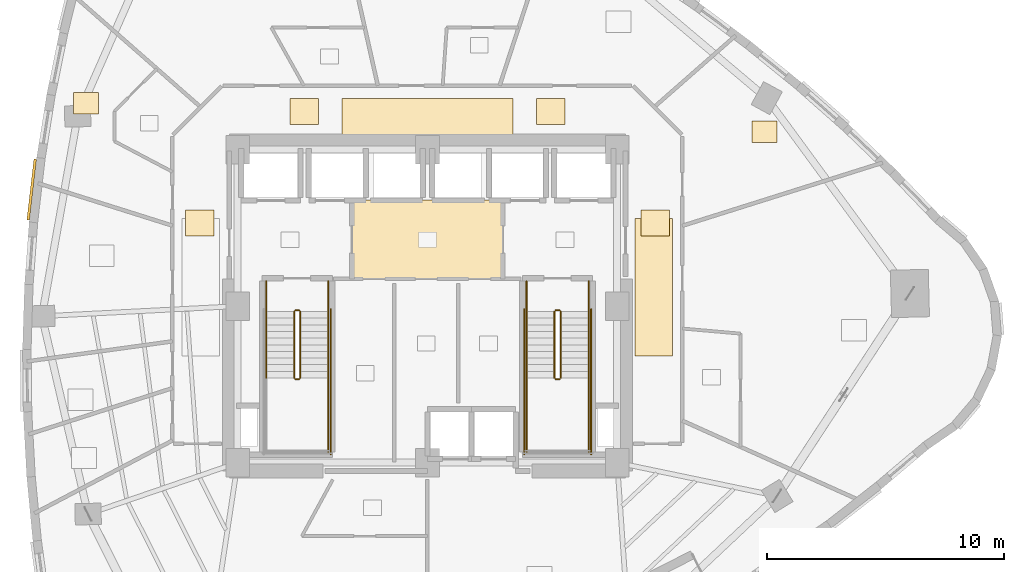
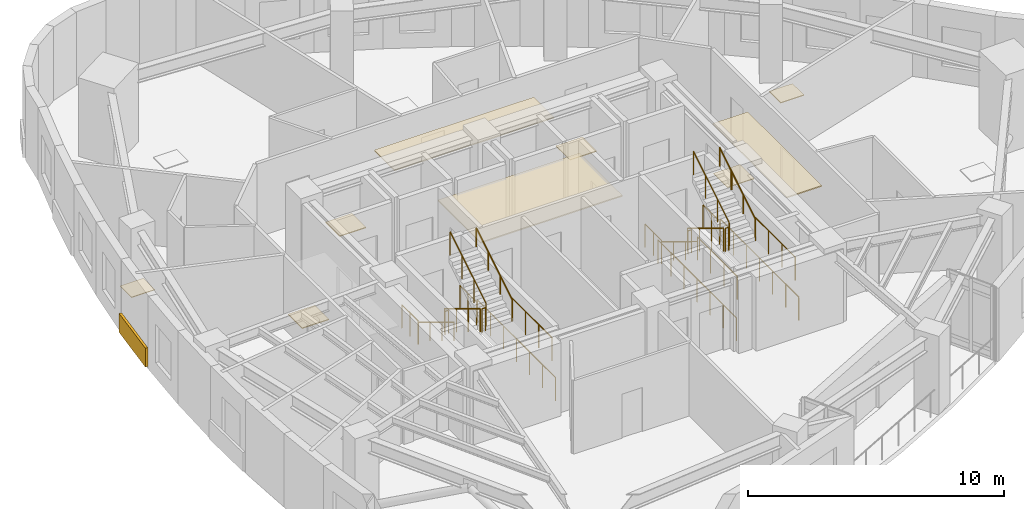
# One storey, part 11 of 12: 22 railings, 10 coverings.
"""IFC4 building model written with IfcOpenShell, lengths in metres."""

import ifcopenshell
import ifcopenshell.guid

model = None  # the IFC model being written
_history = None  # IfcOwnerHistory: only IFC2X3 demands one
_inside = {}  # id of a spatial element -> (the spatial element, [elements in it])
_under = {}  # id of a project, library or spatial element -> (it, [spatial elements below it])
_declared = {}  # id of a project -> (the project, [libraries it declares])
_typed = {}  # id of a type object -> (the type object, [elements of that type])
_made_of = {}  # id of a material, layer set ... -> (it, [elements and type objects made of it])


def new_model(schema):
    """Start an empty IFC model of exactly this schema.

    Asked for "IFC4X3", IfcOpenShell would pick the latest addendum, in which some entities
    have other attributes; the version numbers below select the first issue.
    IFC2X3 requires an IfcOwnerHistory on every rooted entity: one is made here for all.
    """
    global model, _history
    if schema == "IFC4X3":
        model = ifcopenshell.file(schema_version=(4, 3, 0, 0))
    else:
        model = ifcopenshell.file(schema=schema)
    _inside.clear()
    _under.clear()
    _declared.clear()
    _typed.clear()
    _made_of.clear()
    _history = None
    if model.schema == "IFC2X3":
        org = make("IfcOrganization", Name="unknown")
        user = make(
            "IfcPersonAndOrganization",
            ThePerson=make("IfcPerson", FamilyName="unknown"),
            TheOrganization=org,
        )
        app = make(
            "IfcApplication",
            ApplicationDeveloper=org,
            Version="unknown",
            ApplicationFullName="unknown",
            ApplicationIdentifier="unknown",
        )
        _history = make(
            "IfcOwnerHistory",
            OwningUser=user,
            OwningApplication=app,
            ChangeAction="ADDED",
            CreationDate=0,
        )
    return model


def make(cls, **values):
    """One entity of the class cls with the attributes given. An attribute that is None is left unset."""
    return model.create_entity(
        cls, **{name: value for name, value in values.items() if value is not None}
    )


def rooted(cls, **values):
    """An entity with a GlobalId (a new one), such as an element, a storey or a relation."""
    return make(cls, GlobalId=ifcopenshell.guid.new(), OwnerHistory=_history, **values)


def si_unit(unit_type, name, prefix=None):
    """IfcSIUnit, for example si_unit("LENGTHUNIT", "METRE", prefix="MILLI")."""
    return make("IfcSIUnit", UnitType=unit_type, Prefix=prefix, Name=name)


def assignment(units):
    """IfcUnitAssignment: the units of a project."""
    return None if units is None else make("IfcUnitAssignment", Units=units)


def point(xyz):
    """IfcCartesianPoint."""
    return None if xyz is None else make("IfcCartesianPoint", Coordinates=xyz)


def direction(xyz):
    """IfcDirection."""
    return None if xyz is None else make("IfcDirection", DirectionRatios=xyz)


def frame(location, z_axis=None, x_axis=None):
    """IfcAxis2Placement3D, a coordinate frame: its origin and axes. An axis left out is left unset."""
    return make(
        "IfcAxis2Placement3D",
        Location=point(location),
        Axis=direction(z_axis),
        RefDirection=direction(x_axis),
    )


def frame_2d(location, x_axis=None):
    """IfcAxis2Placement2D, a coordinate frame in the plane: its origin and x axis."""
    return make(
        "IfcAxis2Placement2D", Location=point(location), RefDirection=direction(x_axis)
    )


def origin():
    """The frame at (0, 0, 0) with its axes left unset."""
    return frame((0.0, 0.0, 0.0))


def origin_2d():
    """The frame at (0, 0) in the plane with its x axis left unset."""
    return frame_2d((0.0, 0.0))


def place(relative_to, where):
    """IfcLocalPlacement: puts the frame where relative to a parent placement (None: the world)."""
    return make(
        "IfcLocalPlacement", PlacementRelTo=relative_to, RelativePlacement=where
    )


def context(
    kind, dimensions, precision=None, world=None, true_north=None, identifier=None
):
    """IfcGeometricRepresentationContext, for example the 3D "Model" context."""
    return make(
        "IfcGeometricRepresentationContext",
        ContextIdentifier=identifier,
        ContextType=kind,
        CoordinateSpaceDimension=dimensions,
        Precision=precision,
        WorldCoordinateSystem=world,
        TrueNorth=true_north,
    )


def subcontext(parent, identifier, kind, view, scale=None):
    """IfcGeometricRepresentationSubContext, for example "Body" below "Model"."""
    return make(
        "IfcGeometricRepresentationSubContext",
        ContextIdentifier=identifier,
        ContextType=kind,
        ParentContext=parent,
        TargetScale=scale,
        TargetView=view,
    )


def project(units=None, contexts=None):
    """IfcProject with its units and contexts."""
    return rooted(
        "IfcProject",
        Name="project",
        RepresentationContexts=contexts,
        UnitsInContext=assignment(units),
    )


def spatial(cls, under=None, at=None, **own):
    """A site, building, storey or space (cls), placed at a placement, below another one or the project."""
    s = rooted(cls, ObjectPlacement=at, **own)
    if under is not None:
        _under.setdefault(under.id(), (under, []))[1].append(s)
    return s


def profile(cls, at=None, kind="AREA", **sizes):
    """A parametric profile (cls). Its sizes go by their IFC names, for example OverallWidth=200.0."""
    return make(cls, ProfileType=kind, Position=at, **sizes)


def rectangle(**sizes):
    """IfcRectangleProfileDef."""
    return profile("IfcRectangleProfileDef", **sizes)


def circle(**sizes):
    """IfcCircleProfileDef."""
    return profile("IfcCircleProfileDef", **sizes)


def extrude(swept, where, along, depth):
    """IfcExtrudedAreaSolid: the profile swept, set in the frame where, extruded along a direction by depth."""
    return make(
        "IfcExtrudedAreaSolid",
        SweptArea=swept,
        Position=where,
        ExtrudedDirection=direction(along),
        Depth=depth,
    )


def shape(context_of_items, identifier, shape_type, items):
    """IfcShapeRepresentation: the items that make up one representation, for example the "Body"."""
    return make(
        "IfcShapeRepresentation",
        ContextOfItems=context_of_items,
        RepresentationIdentifier=identifier,
        RepresentationType=shape_type,
        Items=items,
    )


def material(Name=None, Category=None):
    """IfcMaterial."""
    return make("IfcMaterial", Name=Name, Category=Category)


def layer(
    of_material, thickness, ventilated=None, Name=None, Category=None, Priority=None
):
    """IfcMaterialLayer: one layer of a wall or slab, of a material (None: an air gap)."""
    return make(
        "IfcMaterialLayer",
        Material=of_material,
        LayerThickness=thickness,
        IsVentilated=ventilated,
        Name=Name,
        Category=Category,
        Priority=Priority,
    )


def layer_set(layers, Name=None):
    """IfcMaterialLayerSet."""
    return make("IfcMaterialLayerSet", MaterialLayers=layers, LayerSetName=Name)


def made_of(thing, what):
    """Note that an element or type object is made of a material, layer set ...; save() writes the relation."""
    if what is not None:
        _made_of.setdefault(what.id(), (what, []))[1].append(thing)
    return thing


def type_object(cls, material=None, **own):
    """A type object (cls), such as IfcWallType, which elements share."""
    return made_of(rooted(cls, **own), material)


def element(
    cls,
    number,
    at=None,
    inside=None,
    cuts=None,
    type_object=None,
    material=None,
    context=None,
    identifier="Body",
    shape_type=None,
    held_by="IfcProductDefinitionShape",
    body=None,
    shapes=None,
    **own,
):
    """One element of the class cls, such as IfcWall. Its Tag is "e" and its number.

    at: its placement. inside: the storey or other place that contains it. cuts: it is an
    opening in that element (IfcRelVoidsElement). A single representation is given by context,
    identifier, shape_type and body (its items); several are given by shapes. held_by: the class
    of the entity that holds the representations. save() writes the other relations.
    """
    e = rooted(cls, Tag="e%d" % number, ObjectPlacement=at, **own)
    if body is not None:
        shapes = [shape(context, identifier, shape_type, body)]
    if shapes is not None:
        e.Representation = make(held_by, Representations=shapes)
    if inside is not None:
        _inside.setdefault(inside.id(), (inside, []))[1].append(e)
    if cuts is not None:
        rooted(
            "IfcRelVoidsElement", RelatingBuildingElement=cuts, RelatedOpeningElement=e
        )
    if type_object is not None:
        _typed.setdefault(type_object.id(), (type_object, []))[1].append(e)
    return made_of(e, material)


def aggregate(whole, parts):
    """IfcRelAggregates: a whole, such as a stair, and the parts it consists of."""
    return rooted("IfcRelAggregates", RelatingObject=whole, RelatedObjects=parts)


def save(model, path):
    """Write the relations noted so far, then the file.

    IfcRelAggregates (storeys below a building ...), IfcRelContainedInSpatialStructure (elements
    in a storey), IfcRelDefinesByType, IfcRelAssociatesMaterial and IfcRelDeclares: one each for
    every whole, place, type object, material and project.
    """
    for whole, parts in _under.values():
        aggregate(whole, parts)
    for where, things in _inside.values():
        rooted(
            "IfcRelContainedInSpatialStructure",
            RelatedElements=things,
            RelatingStructure=where,
        )
    for kind, things in _typed.values():
        rooted("IfcRelDefinesByType", RelatedObjects=things, RelatingType=kind)
    for what, things in _made_of.values():
        rooted("IfcRelAssociatesMaterial", RelatedObjects=things, RelatingMaterial=what)
    for by, libraries in _declared.values():
        rooted("IfcRelDeclares", RelatingContext=by, RelatedDefinitions=libraries)
    model.write(path)


model = new_model("IFC4")

# Units and contexts
model_context = context("Model", 3, precision=1e-05, world=origin(), true_north=direction((0.0, 1.0)))
body_context = subcontext(model_context, "Body", "Model", "MODEL_VIEW")
ifc_project = project(units=[si_unit("LENGTHUNIT", "METRE"), si_unit("AREAUNIT", "SQUARE_METRE"), si_unit("VOLUMEUNIT", "CUBIC_METRE"), si_unit("PLANEANGLEUNIT", "RADIAN"), si_unit("MASSUNIT", "GRAM", prefix="KILO")], contexts=[model_context])

# Site, building, storey
site_placement = place(None, origin())
site = spatial("IfcSite", under=ifc_project, at=site_placement, CompositionType="ELEMENT")
building_placement = place(site_placement, origin())
building = spatial("IfcBuilding", under=site, at=building_placement, Name="Ndelora Gate Hotel", CompositionType="ELEMENT")
storey_placement = place(building_placement, frame((0.0, 0.0, 112.25)))
storey = spatial("IfcBuildingStorey", under=building, at=storey_placement, Name="L27", CompositionType="ELEMENT", Elevation=112.25)

# Coverings
ifc_material_1 = material(Name="Perforated Acoustic Gypsum Board", Category="gypsum")
ifc_layer_1 = layer(ifc_material_1, 0.054931640625)
ifc_layer_set_1 = layer_set([ifc_layer_1], Name="Perforated Acoustic Gypsum Board")
covering_type_1 = type_object("IfcCoveringType", Name="COV-CEIL-AC60", PredefinedType="CEILING", material=ifc_layer_set_1)
covering_1_placement = place(storey_placement, frame((0.0, 2.800048828125, 2.72265625), z_axis=(0.0, 0.0, 1.0), x_axis=(1.0, 0.0, 0.0)))
element("IfcCovering", 1, at=covering_1_placement, inside=storey, type_object=covering_type_1, Name="L27 Lift Lobby Acoustic Ceiling", PredefinedType="CEILING", context=body_context, shape_type="SweptSolid", body=[
    extrude(rectangle(XDim=6.39990234375, YDim=3.340087890625, at=origin_2d()), origin(), (0.0, 0.0, 1.0), 0.054931640625),
])
covering_2_placement = place(storey_placement, frame((0.0, 7.9599609375, 2.65234375), z_axis=(0.0, 0.0, 1.0), x_axis=(1.0, 0.0, 0.0)))
element("IfcCovering", 2, at=covering_2_placement, inside=storey, type_object=covering_type_1, Name="L27 Guest Corridor Acoustic Ceiling N", PredefinedType="CEILING", context=body_context, shape_type="SweptSolid", body=[
    extrude(rectangle(XDim=7.199951171875, YDim=1.580078125, at=origin_2d()), origin(), (0.0, 0.0, 1.0), 0.054931640625),
])
covering_3_placement = place(storey_placement, frame((9.550048828125, 0.800048828125, 2.65234375), z_axis=(0.0, 0.0, 1.0), x_axis=(1.0, 0.0, 0.0)))
element("IfcCovering", 3, at=covering_3_placement, inside=storey, type_object=covering_type_1, Name="L27 Guest Corridor Acoustic Ceiling E", PredefinedType="CEILING", context=body_context, shape_type="SweptSolid", body=[
    extrude(rectangle(XDim=1.580078125, YDim=5.800048828125, at=origin_2d()), origin(), (0.0, 0.0, 1.0), 0.054931640625),
])
ifc_material_2 = material(Name="Terracotta Fired Clay Brick Slip Cladding", Category="masonry")
ifc_layer_2 = layer(ifc_material_2, 0.110107421875)
ifc_layer_set_2 = layer_set([ifc_layer_2], Name="Terracotta Fired Clay Brick Slip Cladding")
covering_type_2 = type_object("IfcCoveringType", Name="COV-CLAD-BRK", PredefinedType="CLADDING", material=ifc_layer_set_2)
covering_4_placement = place(storey_placement, frame((-16.6865234375, 4.913330078125, 0.10009765625), z_axis=(0.0, 0.0, 1.0), x_axis=(0.115803987891, 0.993272085779, 0.0)))
element("IfcCovering", 4, at=covering_4_placement, inside=storey, type_object=covering_type_2, Name="L27 Rounded-Corner Brick Cladding Band 13", PredefinedType="CLADDING", context=body_context, shape_type="SweptSolid", body=[
    extrude(rectangle(XDim=2.583984375, YDim=0.110107421875, at=origin_2d()), origin(), (0.0, 0.0, 1.0), 0.89990234375),
])
ifc_material_3 = material(Name="Engineered Highland Oak Parquet", Category="wood")
ifc_layer_3 = layer(ifc_material_3, 0.030029296875)
ifc_layer_set_3 = layer_set([ifc_layer_3], Name="Engineered Highland Oak Parquet")
covering_type_3 = type_object("IfcCoveringType", Name="COV-FLR-PARQ", PredefinedType="FLOORING", material=ifc_layer_set_3)
for number, where, z_axis, x_axis, name in (
    (5, (14.206787109375, 7.356689453125, 0.0), (0.0, 0.0, 1.0), (1.0, 0.0, 0.0), "L27 Executive Study Office Oak Parquet Flooring"),
    (6, (-14.39990234375, 8.55810546875, 0.0), (0.0, 0.0, 1.0), (1.0, 0.0, 0.0), "L27 Club Twin Guest Room 3005 Oak Parquet Flooring"),
):
    element("IfcCovering", number, at=place(storey_placement, frame(where, z_axis=z_axis, x_axis=x_axis)), inside=storey, type_object=covering_type_3, Name=name, PredefinedType="FLOORING", context=body_context, shape_type="SweptSolid", body=[
        extrude(rectangle(XDim=1.050048828125, YDim=0.89990234375, at=origin_2d()), origin(), (0.0, 0.0, 1.0), 0.030029296875),
    ])
ifc_material_4 = material(Name="Polished Highland Stone Terrazzo", Category="masonry")
ifc_layer_4 = layer(ifc_material_4, 0.034912109375)
ifc_layer_set_4 = layer_set([ifc_layer_4], Name="Polished Highland Stone Terrazzo")
covering_type_4 = type_object("IfcCoveringType", Name="COV-FLR-TERZ", PredefinedType="FLOORING", material=ifc_layer_set_4)
for number, where, z_axis, x_axis, name in (
    (7, (-5.199951171875, 8.199951171875, 0.0), (0.0, 0.0, 1.0), (1.0, 0.0, 0.0), "L27 Corridor Threshold Terrazzo Inlay NW"),
    (8, (5.199951171875, 8.199951171875, 0.0), (0.0, 0.0, 1.0), (1.0, 0.0, 0.0), "L27 Corridor Threshold Terrazzo Inlay NE"),
    (9, (-9.60009765625, 3.5, 0.0), (0.0, 0.0, 1.0), (1.0, 0.0, 0.0), "L27 Corridor Threshold Terrazzo Inlay W"),
    (10, (9.60009765625, 3.5, 0.0), (0.0, 0.0, 1.0), (1.0, 0.0, 0.0), "L27 Corridor Threshold Terrazzo Inlay E"),
):
    element("IfcCovering", number, at=place(storey_placement, frame(where, z_axis=z_axis, x_axis=x_axis)), inside=storey, type_object=covering_type_4, Name=name, PredefinedType="FLOORING", context=body_context, shape_type="SweptSolid", body=[
        extrude(rectangle(XDim=1.199951171875, YDim=1.10009765625, at=origin_2d()), origin(), (0.0, 0.0, 1.0), 0.034912109375),
    ])

# Railings
ifc_material_5 = material(Name="Painted Galvanized Steel Balustrade", Category="steel")
ifc_layer_5 = layer(ifc_material_5, 0.06005859375)
ifc_layer_set_5 = layer_set([ifc_layer_5], Name="Painted Galvanized Steel Balustrade")
railing_type_1 = type_object("IfcRailingType", Name="RL-STAIR-GD", PredefinedType="GUARDRAIL", material=ifc_layer_set_5)
railing_1_placement = place(storey_placement, frame((-5.6201171875, -0.22998046875, 0.17041015625)))
element("IfcRailing", 11, at=railing_1_placement, inside=storey, type_object=railing_type_1, Name="L27 ST4 stair guard 1", PredefinedType="GUARDRAIL", context=body_context, shape_type="SweptSolid", body=[
    extrude(circle(Radius=0.02392578125, at=origin_2d()), frame((0.0, 0.0, 1.10595703125), z_axis=(0.0, -0.854169791009, 0.51999420009), x_axis=(1.0, 0.0, 0.0)), (0.0, 0.0, 1.0), 3.278076171875),
    extrude(circle(Radius=0.02099609375, at=origin_2d()), origin(), (0.0, 0.0, 1.0), 1.081787109375),
    extrude(circle(Radius=0.02099609375, at=origin_2d()), frame((0.0, -0.933349609375, 0.568115234375)), (0.0, 0.0, 1.0), 1.081787109375),
    extrude(circle(Radius=0.02099609375, at=origin_2d()), frame((0.0, -1.86669921875, 1.136474609375)), (0.0, 0.0, 1.0), 1.081787109375),
    extrude(circle(Radius=0.02099609375, at=origin_2d()), frame((0.0, -2.800048828125, 1.70458984375)), (0.0, 0.0, 1.0), 1.081787109375),
])
railing_2_placement = place(storey_placement, frame((-5.570068359375, -3.080078125, 1.875)))
element("IfcRailing", 12, at=railing_2_placement, inside=storey, type_object=railing_type_1, Name="L27 ST4 stair guard 2", PredefinedType="GUARDRAIL", context=body_context, shape_type="SweptSolid", body=[
    extrude(circle(Radius=0.02392578125, at=origin_2d()), frame((0.0, 0.0, 1.10595703125), z_axis=(1.0, 0.0, 0.0), x_axis=(0.0, 1.0, 0.0)), (0.0, 0.0, 1.0), 0.16015625),
    extrude(circle(Radius=0.02099609375, at=origin_2d()), origin(), (0.0, 0.0, 1.0), 1.081787109375),
    extrude(circle(Radius=0.02099609375, at=origin_2d()), frame((0.16015625, 0.0, 0.0)), (0.0, 0.0, 1.0), 1.081787109375),
])
railing_3_placement = place(storey_placement, frame((-4.179931640625, -3.030029296875, 1.875)))
element("IfcRailing", 13, at=railing_3_placement, inside=storey, type_object=railing_type_1, Name="L27 ST4 stair guard 4", PredefinedType="GUARDRAIL", context=body_context, shape_type="SweptSolid", body=[
    extrude(circle(Radius=0.02392578125, at=origin_2d()), frame((0.0, 0.0, 1.10595703125), z_axis=(0.0, -1.0, 0.0), x_axis=(1.0, 0.0, 0.0)), (0.0, 0.0, 1.0), 3.119873046875),
    extrude(circle(Radius=0.02099609375, at=origin_2d()), origin(), (0.0, 0.0, 1.0), 1.081787109375),
    extrude(circle(Radius=0.02099609375, at=origin_2d()), frame((0.0, -1.0400390625, 0.0)), (0.0, 0.0, 1.0), 1.081787109375),
    extrude(circle(Radius=0.02099609375, at=origin_2d()), frame((0.0, -2.079833984375, 0.0)), (0.0, 0.0, 1.0), 1.081787109375),
    extrude(circle(Radius=0.02099609375, at=origin_2d()), frame((0.0, -3.119873046875, 0.0)), (0.0, 0.0, 1.0), 1.081787109375),
])
railing_4_placement = place(storey_placement, frame((-5.360107421875, -3.030029296875, 2.04541015625)))
element("IfcRailing", 14, at=railing_4_placement, inside=storey, type_object=railing_type_1, Name="L27 ST4 stair guard 6", PredefinedType="GUARDRAIL", context=body_context, shape_type="SweptSolid", body=[
    extrude(circle(Radius=0.02392578125, at=origin_2d()), frame((0.0, 0.0, 1.10595703125), z_axis=(0.0, 0.854169791009, 0.51999420009), x_axis=(-1.0, 0.0, 0.0)), (0.0, 0.0, 1.0), 3.278076171875),
    extrude(circle(Radius=0.02099609375, at=origin_2d()), origin(), (0.0, 0.0, 1.0), 1.081787109375),
    extrude(circle(Radius=0.02099609375, at=origin_2d()), frame((0.0, 0.933349609375, 0.568115234375)), (0.0, 0.0, 1.0), 1.081787109375),
    extrude(circle(Radius=0.02099609375, at=origin_2d()), frame((0.0, 1.86669921875, 1.136474609375)), (0.0, 0.0, 1.0), 1.081787109375),
    extrude(circle(Radius=0.02099609375, at=origin_2d()), frame((0.0, 2.800048828125, 1.70458984375)), (0.0, 0.0, 1.0), 1.081787109375),
])
railing_5_placement = place(storey_placement, frame((-5.570068359375, -0.179931640625, 0.0)))
element("IfcRailing", 15, at=railing_5_placement, inside=storey, type_object=railing_type_1, Name="L27 ST4 stair guard 7", PredefinedType="GUARDRAIL", context=body_context, shape_type="SweptSolid", body=[
    extrude(circle(Radius=0.02392578125, at=origin_2d()), frame((0.0, 0.0, 1.10595703125), z_axis=(1.0, 0.0, 0.0), x_axis=(0.0, 1.0, 0.0)), (0.0, 0.0, 1.0), 0.16015625),
    extrude(circle(Radius=0.02099609375, at=origin_2d()), origin(), (0.0, 0.0, 1.0), 1.081787109375),
    extrude(circle(Radius=0.02099609375, at=origin_2d()), frame((0.16015625, 0.0, 0.0)), (0.0, 0.0, 1.0), 1.081787109375),
])
for number, where, name in (
    (16, (-6.800048828125, 1.050048828125, 0.0), "L27 ST4 stair guard 8"),
    (17, (-4.179931640625, 1.050048828125, 0.0), "L27 ST4 stair guard 9"),
):
    element("IfcRailing", number, at=place(storey_placement, frame(where)), inside=storey, type_object=railing_type_1, Name=name, PredefinedType="GUARDRAIL", context=body_context, shape_type="SweptSolid", body=[
        extrude(circle(Radius=0.02392578125, at=origin_2d()), frame((0.0, 0.0, 1.10595703125), z_axis=(0.0, -1.0, 0.0), x_axis=(1.0, 0.0, 0.0)), (0.0, 0.0, 1.0), 1.280029296875),
        extrude(circle(Radius=0.02099609375, at=origin_2d()), origin(), (0.0, 0.0, 1.0), 1.081787109375),
        extrude(circle(Radius=0.02099609375, at=origin_2d()), frame((0.0, -0.64013671875, 0.0)), (0.0, 0.0, 1.0), 1.081787109375),
        extrude(circle(Radius=0.02099609375, at=origin_2d()), frame((0.0, -1.280029296875, 0.0)), (0.0, 0.0, 1.0), 1.081787109375),
    ])
railing_6_placement = place(storey_placement, frame((-4.080078125, -0.1298828125, 0.0)))
element("IfcRailing", 18, at=railing_6_placement, inside=storey, type_object=railing_type_1, Name="L27 ST4 stair guard 11", PredefinedType="GUARDRAIL", context=body_context, shape_type="SweptSolid", body=[
    extrude(circle(Radius=0.02392578125, at=origin_2d()), frame((0.0, 0.0, 1.10595703125), z_axis=(0.0, -1.0, 0.0), x_axis=(1.0, 0.0, 0.0)), (0.0, 0.0, 1.0), 6.1201171875),
    extrude(circle(Radius=0.02099609375, at=origin_2d()), origin(), (0.0, 0.0, 1.0), 1.081787109375),
    extrude(circle(Radius=0.02099609375, at=origin_2d()), frame((0.0, -1.02001953125, 0.0)), (0.0, 0.0, 1.0), 1.081787109375),
    extrude(circle(Radius=0.02099609375, at=origin_2d()), frame((0.0, -2.0400390625, 0.0)), (0.0, 0.0, 1.0), 1.081787109375),
    extrude(circle(Radius=0.02099609375, at=origin_2d()), frame((0.0, -3.06005859375, 0.0)), (0.0, 0.0, 1.0), 1.081787109375),
    extrude(circle(Radius=0.02099609375, at=origin_2d()), frame((0.0, -4.080078125, 0.0)), (0.0, 0.0, 1.0), 1.081787109375),
    extrude(circle(Radius=0.02099609375, at=origin_2d()), frame((0.0, -5.10009765625, 0.0)), (0.0, 0.0, 1.0), 1.081787109375),
    extrude(circle(Radius=0.02099609375, at=origin_2d()), frame((0.0, -6.1201171875, 0.0)), (0.0, 0.0, 1.0), 1.081787109375),
])
railing_7_placement = place(storey_placement, frame((5.360107421875, -0.22998046875, 0.17041015625)))
element("IfcRailing", 19, at=railing_7_placement, inside=storey, type_object=railing_type_1, Name="L27 ST5 stair guard 1", PredefinedType="GUARDRAIL", context=body_context, shape_type="SweptSolid", body=[
    extrude(circle(Radius=0.02392578125, at=origin_2d()), frame((0.0, 0.0, 1.10595703125), z_axis=(0.0, -0.854169791009, 0.51999420009), x_axis=(1.0, 0.0, 0.0)), (0.0, 0.0, 1.0), 3.278076171875),
    extrude(circle(Radius=0.02099609375, at=origin_2d()), origin(), (0.0, 0.0, 1.0), 1.081787109375),
    extrude(circle(Radius=0.02099609375, at=origin_2d()), frame((0.0, -0.933349609375, 0.568115234375)), (0.0, 0.0, 1.0), 1.081787109375),
    extrude(circle(Radius=0.02099609375, at=origin_2d()), frame((0.0, -1.86669921875, 1.136474609375)), (0.0, 0.0, 1.0), 1.081787109375),
    extrude(circle(Radius=0.02099609375, at=origin_2d()), frame((0.0, -2.800048828125, 1.70458984375)), (0.0, 0.0, 1.0), 1.081787109375),
])
railing_8_placement = place(storey_placement, frame((5.409912109375, -3.080078125, 1.875)))
element("IfcRailing", 20, at=railing_8_placement, inside=storey, type_object=railing_type_1, Name="L27 ST5 stair guard 2", PredefinedType="GUARDRAIL", context=body_context, shape_type="SweptSolid", body=[
    extrude(circle(Radius=0.02392578125, at=origin_2d()), frame((0.0, 0.0, 1.10595703125), z_axis=(1.0, 0.0, 0.0), x_axis=(0.0, 1.0, 0.0)), (0.0, 0.0, 1.0), 0.16015625),
    extrude(circle(Radius=0.02099609375, at=origin_2d()), origin(), (0.0, 0.0, 1.0), 1.081787109375),
    extrude(circle(Radius=0.02099609375, at=origin_2d()), frame((0.16015625, 0.0, 0.0)), (0.0, 0.0, 1.0), 1.081787109375),
])
for number, where, name in (
    (21, (4.179931640625, -3.030029296875, 1.875), "L27 ST5 stair guard 3"),
    (22, (6.800048828125, -3.030029296875, 1.875), "L27 ST5 stair guard 4"),
):
    element("IfcRailing", number, at=place(storey_placement, frame(where)), inside=storey, type_object=railing_type_1, Name=name, PredefinedType="GUARDRAIL", context=body_context, shape_type="SweptSolid", body=[
        extrude(circle(Radius=0.02392578125, at=origin_2d()), frame((0.0, 0.0, 1.10595703125), z_axis=(0.0, -1.0, 0.0), x_axis=(1.0, 0.0, 0.0)), (0.0, 0.0, 1.0), 3.119873046875),
        extrude(circle(Radius=0.02099609375, at=origin_2d()), origin(), (0.0, 0.0, 1.0), 1.081787109375),
        extrude(circle(Radius=0.02099609375, at=origin_2d()), frame((0.0, -1.0400390625, 0.0)), (0.0, 0.0, 1.0), 1.081787109375),
        extrude(circle(Radius=0.02099609375, at=origin_2d()), frame((0.0, -2.079833984375, 0.0)), (0.0, 0.0, 1.0), 1.081787109375),
        extrude(circle(Radius=0.02099609375, at=origin_2d()), frame((0.0, -3.119873046875, 0.0)), (0.0, 0.0, 1.0), 1.081787109375),
    ])
railing_9_placement = place(storey_placement, frame((5.6201171875, -3.030029296875, 2.04541015625)))
element("IfcRailing", 23, at=railing_9_placement, inside=storey, type_object=railing_type_1, Name="L27 ST5 stair guard 6", PredefinedType="GUARDRAIL", context=body_context, shape_type="SweptSolid", body=[
    extrude(circle(Radius=0.02392578125, at=origin_2d()), frame((0.0, 0.0, 1.10595703125), z_axis=(0.0, 0.854169791009, 0.51999420009), x_axis=(-1.0, 0.0, 0.0)), (0.0, 0.0, 1.0), 3.278076171875),
    extrude(circle(Radius=0.02099609375, at=origin_2d()), origin(), (0.0, 0.0, 1.0), 1.081787109375),
    extrude(circle(Radius=0.02099609375, at=origin_2d()), frame((0.0, 0.933349609375, 0.568115234375)), (0.0, 0.0, 1.0), 1.081787109375),
    extrude(circle(Radius=0.02099609375, at=origin_2d()), frame((0.0, 1.86669921875, 1.136474609375)), (0.0, 0.0, 1.0), 1.081787109375),
    extrude(circle(Radius=0.02099609375, at=origin_2d()), frame((0.0, 2.800048828125, 1.70458984375)), (0.0, 0.0, 1.0), 1.081787109375),
])
railing_10_placement = place(storey_placement, frame((5.409912109375, -0.179931640625, 0.0)))
element("IfcRailing", 24, at=railing_10_placement, inside=storey, type_object=railing_type_1, Name="L27 ST5 stair guard 7", PredefinedType="GUARDRAIL", context=body_context, shape_type="SweptSolid", body=[
    extrude(circle(Radius=0.02392578125, at=origin_2d()), frame((0.0, 0.0, 1.10595703125), z_axis=(1.0, 0.0, 0.0), x_axis=(0.0, 1.0, 0.0)), (0.0, 0.0, 1.0), 0.16015625),
    extrude(circle(Radius=0.02099609375, at=origin_2d()), origin(), (0.0, 0.0, 1.0), 1.081787109375),
    extrude(circle(Radius=0.02099609375, at=origin_2d()), frame((0.16015625, 0.0, 0.0)), (0.0, 0.0, 1.0), 1.081787109375),
])
for number, where, name in (
    (25, (4.179931640625, 1.050048828125, 0.0), "L27 ST5 stair guard 8"),
    (26, (6.800048828125, 1.050048828125, 0.0), "L27 ST5 stair guard 9"),
):
    element("IfcRailing", number, at=place(storey_placement, frame(where)), inside=storey, type_object=railing_type_1, Name=name, PredefinedType="GUARDRAIL", context=body_context, shape_type="SweptSolid", body=[
        extrude(circle(Radius=0.02392578125, at=origin_2d()), frame((0.0, 0.0, 1.10595703125), z_axis=(0.0, -1.0, 0.0), x_axis=(1.0, 0.0, 0.0)), (0.0, 0.0, 1.0), 1.280029296875),
        extrude(circle(Radius=0.02099609375, at=origin_2d()), origin(), (0.0, 0.0, 1.0), 1.081787109375),
        extrude(circle(Radius=0.02099609375, at=origin_2d()), frame((0.0, -0.64013671875, 0.0)), (0.0, 0.0, 1.0), 1.081787109375),
        extrude(circle(Radius=0.02099609375, at=origin_2d()), frame((0.0, -1.280029296875, 0.0)), (0.0, 0.0, 1.0), 1.081787109375),
    ])
for number, where, name in (
    (27, (4.080078125, -0.1298828125, 0.0), "L27 ST5 stair guard 10"),
    (28, (6.89990234375, -0.1298828125, 0.0), "L27 ST5 stair guard 11"),
):
    element("IfcRailing", number, at=place(storey_placement, frame(where)), inside=storey, type_object=railing_type_1, Name=name, PredefinedType="GUARDRAIL", context=body_context, shape_type="SweptSolid", body=[
        extrude(circle(Radius=0.02392578125, at=origin_2d()), frame((0.0, 0.0, 1.10595703125), z_axis=(0.0, -1.0, 0.0), x_axis=(1.0, 0.0, 0.0)), (0.0, 0.0, 1.0), 6.1201171875),
        extrude(circle(Radius=0.02099609375, at=origin_2d()), origin(), (0.0, 0.0, 1.0), 1.081787109375),
        extrude(circle(Radius=0.02099609375, at=origin_2d()), frame((0.0, -1.02001953125, 0.0)), (0.0, 0.0, 1.0), 1.081787109375),
        extrude(circle(Radius=0.02099609375, at=origin_2d()), frame((0.0, -2.0400390625, 0.0)), (0.0, 0.0, 1.0), 1.081787109375),
        extrude(circle(Radius=0.02099609375, at=origin_2d()), frame((0.0, -3.06005859375, 0.0)), (0.0, 0.0, 1.0), 1.081787109375),
        extrude(circle(Radius=0.02099609375, at=origin_2d()), frame((0.0, -4.080078125, 0.0)), (0.0, 0.0, 1.0), 1.081787109375),
        extrude(circle(Radius=0.02099609375, at=origin_2d()), frame((0.0, -5.10009765625, 0.0)), (0.0, 0.0, 1.0), 1.081787109375),
        extrude(circle(Radius=0.02099609375, at=origin_2d()), frame((0.0, -6.1201171875, 0.0)), (0.0, 0.0, 1.0), 1.081787109375),
    ])
ifc_material_6 = material(Name="Brushed Stainless Steel 316", Category="steel")
ifc_layer_6 = layer(ifc_material_6, 0.050048828125)
ifc_layer_set_6 = layer_set([ifc_layer_6], Name="Brushed Stainless Steel 316")
railing_type_2 = type_object("IfcRailingType", Name="RL-STAIR-HR", PredefinedType="HANDRAIL", material=ifc_layer_set_6)
railing_11_placement = place(storey_placement, frame((-6.800048828125, -0.22998046875, 0.17041015625)))
element("IfcRailing", 29, at=railing_11_placement, inside=storey, type_object=railing_type_2, Name="L27 ST4 stair handrail 1", PredefinedType="HANDRAIL", context=body_context, shape_type="SweptSolid", body=[
    extrude(circle(Radius=0.02392578125, at=origin_2d()), frame((0.0, 0.0, 0.8759765625), z_axis=(0.0, -0.854169791009, 0.51999420009), x_axis=(1.0, 0.0, 0.0)), (0.0, 0.0, 1.0), 3.278076171875),
    extrude(circle(Radius=0.02099609375, at=origin_2d()), origin(), (0.0, 0.0, 1.0), 0.851806640625),
    extrude(circle(Radius=0.02099609375, at=origin_2d()), frame((0.0, -0.933349609375, 0.568115234375)), (0.0, 0.0, 1.0), 0.851806640625),
    extrude(circle(Radius=0.02099609375, at=origin_2d()), frame((0.0, -1.86669921875, 1.136474609375)), (0.0, 0.0, 1.0), 0.851806640625),
    extrude(circle(Radius=0.02099609375, at=origin_2d()), frame((0.0, -2.800048828125, 1.70458984375)), (0.0, 0.0, 1.0), 0.851806640625),
])
railing_12_placement = place(storey_placement, frame((-4.179931640625, -3.030029296875, 2.04541015625)))
element("IfcRailing", 30, at=railing_12_placement, inside=storey, type_object=railing_type_2, Name="L27 ST4 stair handrail 2", PredefinedType="HANDRAIL", context=body_context, shape_type="SweptSolid", body=[
    extrude(circle(Radius=0.02392578125, at=origin_2d()), frame((0.0, 0.0, 0.8759765625), z_axis=(0.0, 0.854169791009, 0.51999420009), x_axis=(-1.0, 0.0, 0.0)), (0.0, 0.0, 1.0), 3.278076171875),
    extrude(circle(Radius=0.02099609375, at=origin_2d()), origin(), (0.0, 0.0, 1.0), 0.851806640625),
    extrude(circle(Radius=0.02099609375, at=origin_2d()), frame((0.0, 0.933349609375, 0.568115234375)), (0.0, 0.0, 1.0), 0.851806640625),
    extrude(circle(Radius=0.02099609375, at=origin_2d()), frame((0.0, 1.86669921875, 1.136474609375)), (0.0, 0.0, 1.0), 0.851806640625),
    extrude(circle(Radius=0.02099609375, at=origin_2d()), frame((0.0, 2.800048828125, 1.70458984375)), (0.0, 0.0, 1.0), 0.851806640625),
])
railing_13_placement = place(storey_placement, frame((4.179931640625, -0.22998046875, 0.17041015625)))
element("IfcRailing", 31, at=railing_13_placement, inside=storey, type_object=railing_type_2, Name="L27 ST5 stair handrail 1", PredefinedType="HANDRAIL", context=body_context, shape_type="SweptSolid", body=[
    extrude(circle(Radius=0.02392578125, at=origin_2d()), frame((0.0, 0.0, 0.8759765625), z_axis=(0.0, -0.854169791009, 0.51999420009), x_axis=(1.0, 0.0, 0.0)), (0.0, 0.0, 1.0), 3.278076171875),
    extrude(circle(Radius=0.02099609375, at=origin_2d()), origin(), (0.0, 0.0, 1.0), 0.851806640625),
    extrude(circle(Radius=0.02099609375, at=origin_2d()), frame((0.0, -0.933349609375, 0.568115234375)), (0.0, 0.0, 1.0), 0.851806640625),
    extrude(circle(Radius=0.02099609375, at=origin_2d()), frame((0.0, -1.86669921875, 1.136474609375)), (0.0, 0.0, 1.0), 0.851806640625),
    extrude(circle(Radius=0.02099609375, at=origin_2d()), frame((0.0, -2.800048828125, 1.70458984375)), (0.0, 0.0, 1.0), 0.851806640625),
])
railing_14_placement = place(storey_placement, frame((6.800048828125, -3.030029296875, 2.04541015625)))
element("IfcRailing", 32, at=railing_14_placement, inside=storey, type_object=railing_type_2, Name="L27 ST5 stair handrail 2", PredefinedType="HANDRAIL", context=body_context, shape_type="SweptSolid", body=[
    extrude(circle(Radius=0.02392578125, at=origin_2d()), frame((0.0, 0.0, 0.8759765625), z_axis=(0.0, 0.854169791009, 0.51999420009), x_axis=(-1.0, 0.0, 0.0)), (0.0, 0.0, 1.0), 3.278076171875),
    extrude(circle(Radius=0.02099609375, at=origin_2d()), origin(), (0.0, 0.0, 1.0), 0.851806640625),
    extrude(circle(Radius=0.02099609375, at=origin_2d()), frame((0.0, 0.933349609375, 0.568115234375)), (0.0, 0.0, 1.0), 0.851806640625),
    extrude(circle(Radius=0.02099609375, at=origin_2d()), frame((0.0, 1.86669921875, 1.136474609375)), (0.0, 0.0, 1.0), 0.851806640625),
    extrude(circle(Radius=0.02099609375, at=origin_2d()), frame((0.0, 2.800048828125, 1.70458984375)), (0.0, 0.0, 1.0), 0.851806640625),
])

save(model, "model.ifc")
